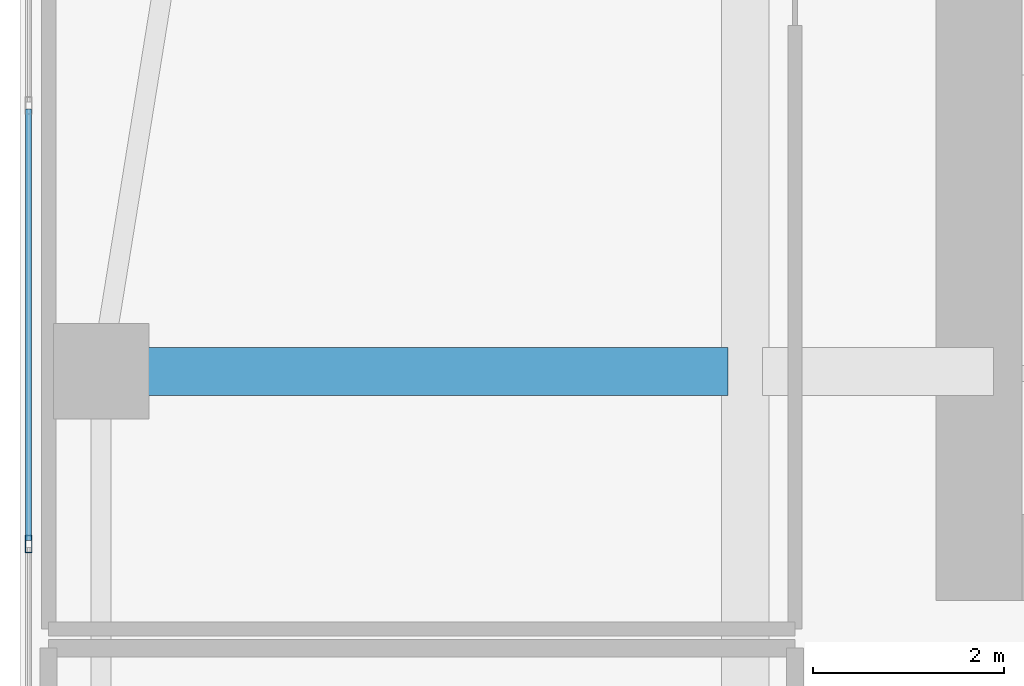
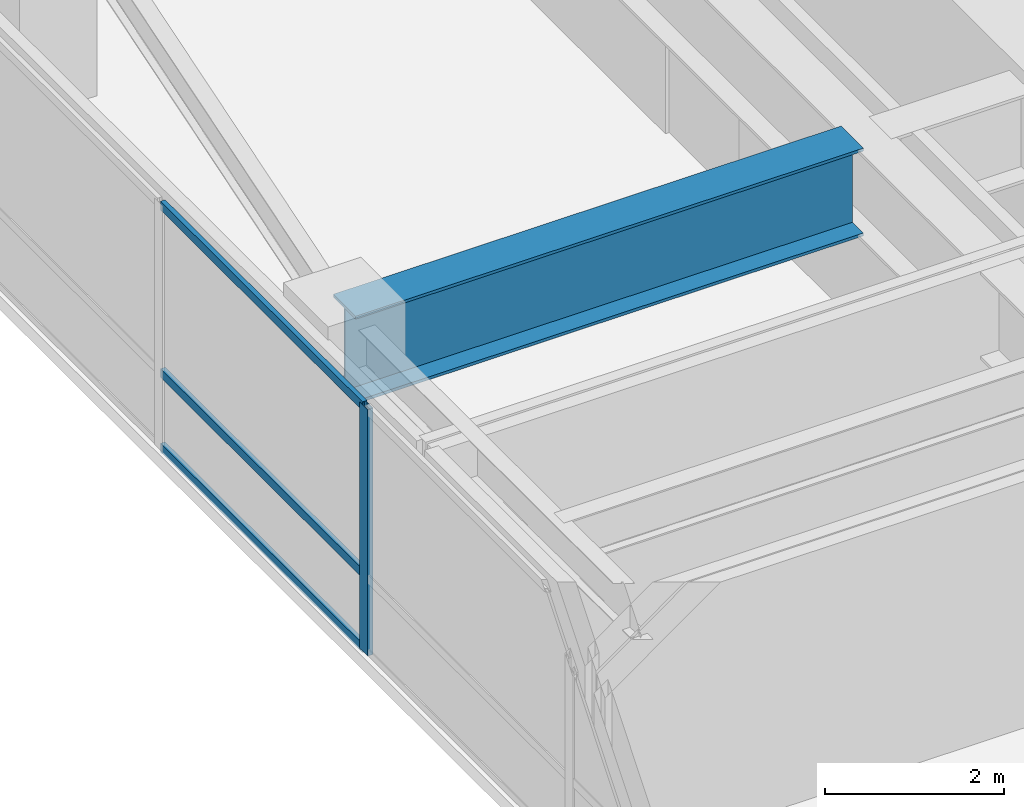
# One storey, part 17 of 30: 4 members, 1 beam, 1 element without a shape of its own.
"""IFC4 building model written with IfcOpenShell, lengths in metres."""

from ifc_helpers import new_model, si_unit, direction, frame, origin, origin_2d, place, context, subcontext, project, spatial, hollow_rectangle, i_section, extrude, source, transform, mapped, material, layer, layer_set, material_profile, profile_set, type_object, type_shapes, element, aggregate, save


model = new_model("IFC4")

# Units and contexts
model_context = context("Model", 3, precision=1e-05, world=origin(), true_north=direction((0.0, 1.0)))
body_context = subcontext(model_context, "Body", "Model", "MODEL_VIEW")
ifc_project = project(units=[si_unit("LENGTHUNIT", "METRE"), si_unit("AREAUNIT", "SQUARE_METRE"), si_unit("VOLUMEUNIT", "CUBIC_METRE"), si_unit("PLANEANGLEUNIT", "RADIAN"), si_unit("MASSUNIT", "GRAM", prefix="KILO")], contexts=[model_context])

# Site, building, storey
site_placement = place(None, origin())
site = spatial("IfcSite", under=ifc_project, at=site_placement, CompositionType="ELEMENT")
building_placement = place(site_placement, origin())
building = spatial("IfcBuilding", under=site, at=building_placement, Name="Tolvann Quenvar Hotel", CompositionType="ELEMENT")
storey_placement = place(building_placement, frame((0.0, 0.0, 56.85009765625)))
storey = spatial("IfcBuildingStorey", under=building, at=storey_placement, Name="L13", CompositionType="ELEMENT", Elevation=56.85009765625)

# Beam
ifc_material_1 = material(Name="Steel Grade 350", Category="steel")
ifc_material_profile_1 = material_profile(ifc_material_1, i_section(OverallWidth=0.5, OverallDepth=1.199951171875, WebThickness=0.01611328125, FlangeThickness=0.0400390625, at=origin_2d()), Name="1200WB455")
ifc_profile_set_1 = profile_set([ifc_material_profile_1], Name="Steel Grade 350")
beam_type = type_object("IfcBeamType", Name="BM_TG_1200WB455", PredefinedType="USERDEFINED", material=ifc_profile_set_1)
shared_shape_1 = source(origin(), body_context, "Body", "SweptSolid", [
    extrude(i_section(OverallWidth=0.5, OverallDepth=1.199951171875, WebThickness=0.01611328125, FlangeThickness=0.0400390625, at=origin_2d()), origin(), (0.0, 0.0, 1.0), 6.56982421875),
])
type_shapes(beam_type, [shared_shape_1])
beam_placement = place(storey_placement, frame((0.85009765625, 34.0, 2.77001953125), z_axis=(1.0, 0.0, 0.0), x_axis=(0.0, 1.0, 0.0)))
element("IfcBeam", 1, at=beam_placement, inside=storey, type_object=beam_type, Name="BM-L13-CTW-MID1", ObjectType="TRANSFER GIRDER", PredefinedType="USERDEFINED", context=body_context, shape_type="MappedRepresentation", body=[
    mapped(shared_shape_1, transform((0.0, 0.0, 0.0), x_axis=(1.0, 0.0, 0.0), y_axis=(0.0, 1.0, 0.0), z_axis=(0.0, 0.0, 1.0), scale=1.0)),
])

# Curtain wall, members
ifc_material_2 = material(Name="Thermally broken anodised architectural aluminium 6063-T6 and laminated low-E glass", Category="aluminium")
ifc_layer = layer(ifc_material_2, 0.179931640625)
ifc_layer_set = layer_set([ifc_layer], Name="Thermally broken anodised architectural aluminium 6063-T6 and laminated low-E glass")
curtain_wall_type = type_object("IfcCurtainWallType", Name="CW_SYS_BAND_04", PredefinedType="USERDEFINED", material=ifc_layer_set)
curtain_wall_placement = place(storey_placement, origin())
curtain_wall = element("IfcCurtainWall", 2, at=curtain_wall_placement, inside=storey, type_object=curtain_wall_type, Name="Curtain Wall CW-BAND-04 (CWR-L13-E23)", ObjectType="UNITISED CURTAIN WALL", PredefinedType="USERDEFINED")
ifc_material_3 = material(Name="Anodised architectural aluminium 6063-T6 framing", Category="aluminium")
ifc_material_profile_2 = material_profile(ifc_material_3, hollow_rectangle(XDim=0.070068359375, YDim=0.179931640625, WallThickness=0.00390625, at=origin_2d()), Name="180x70x4RHS")
ifc_profile_set_2 = profile_set([ifc_material_profile_2], Name="Anodised architectural aluminium 6063-T6 framing")
member_type_1 = type_object("IfcMemberType", Name="CW_MULL_180x70", PredefinedType="MULLION", material=ifc_profile_set_2)
shared_shape_2 = source(origin(), body_context, "Body", "SweptSolid", [
    extrude(hollow_rectangle(XDim=0.070068359375, YDim=0.179931640625, WallThickness=0.00390625, at=origin_2d()), origin(), (0.0, 0.0, 1.0), 3.369873046875),
])
type_shapes(member_type_1, [shared_shape_2])
member_1_placement = place(storey_placement, frame((0.090087890625, 32.19140625, 0.0), z_axis=(0.0, 0.0, 1.0), x_axis=(1.0, 0.0, 0.0)))
member_1 = element("IfcMember", 3, at=member_1_placement, type_object=member_type_1, Name="CW-BAND-04 mullion 3", PredefinedType="MULLION", context=body_context, shape_type="MappedRepresentation", body=[
    mapped(shared_shape_2, transform((0.0, 0.0, 0.0), x_axis=(1.0, 0.0, 0.0), y_axis=(0.0, 1.0, 0.0), z_axis=(0.0, 0.0, 1.0), scale=1.0)),
])
ifc_material_profile_3 = material_profile(ifc_material_3, hollow_rectangle(XDim=0.06005859375, YDim=0.1201171875, WallThickness=0.00341796875, at=origin_2d()), Name="120x60x3.5RHS")
ifc_profile_set_3 = profile_set([ifc_material_profile_3], Name="Anodised architectural aluminium 6063-T6 framing")
member_type_2 = type_object("IfcMemberType", Name="CW_TRAN_120x60", PredefinedType="USERDEFINED", material=ifc_profile_set_3)
shared_shape_3 = source(origin(), body_context, "Body", "SweptSolid", [
    extrude(hollow_rectangle(XDim=0.06005859375, YDim=0.1201171875, WallThickness=0.00341796875, at=origin_2d()), origin(), (0.0, 0.0, 1.0), 4.52587890625),
])
type_shapes(member_type_2, [shared_shape_3])
member_2_placement = place(storey_placement, frame((0.090087890625, 36.752197265625, 0.02978515625), z_axis=(0.0, -1.0, 0.0), x_axis=(1.0, 0.0, 0.0)))
member_2 = element("IfcMember", 4, at=member_2_placement, type_object=member_type_2, Name="CW-BAND-04 transom 2.1", ObjectType="TRANSOM", PredefinedType="USERDEFINED", context=body_context, shape_type="MappedRepresentation", body=[
    mapped(shared_shape_3, transform((0.0, 0.0, 0.0), x_axis=(1.0, 0.0, 0.0), y_axis=(0.0, 1.0, 0.0), z_axis=(0.0, 0.0, 1.0), scale=1.0)),
])
member_3_placement = place(storey_placement, frame((0.090087890625, 36.752197265625, 1.0498046875), z_axis=(0.0, -1.0, 0.0), x_axis=(1.0, 0.0, 0.0)))
member_3 = element("IfcMember", 5, at=member_3_placement, type_object=member_type_2, Name="CW-BAND-04 transom 2.2", ObjectType="TRANSOM", PredefinedType="USERDEFINED", context=body_context, shape_type="MappedRepresentation", body=[
    mapped(shared_shape_3, transform((0.0, 0.0, 0.0), x_axis=(1.0, 0.0, 0.0), y_axis=(0.0, 1.0, 0.0), z_axis=(0.0, 0.0, 1.0), scale=1.0)),
])
member_4_placement = place(storey_placement, frame((0.090087890625, 36.752197265625, 3.33984375), z_axis=(0.0, -1.0, 0.0), x_axis=(1.0, 0.0, 0.0)))
member_4 = element("IfcMember", 6, at=member_4_placement, type_object=member_type_2, Name="CW-BAND-04 transom 2.3", ObjectType="TRANSOM", PredefinedType="USERDEFINED", context=body_context, shape_type="MappedRepresentation", body=[
    mapped(shared_shape_3, transform((0.0, 0.0, 0.0), x_axis=(1.0, 0.0, 0.0), y_axis=(0.0, 1.0, 0.0), z_axis=(0.0, 0.0, 1.0), scale=1.0)),
])
aggregate(curtain_wall, [member_1, member_2, member_3, member_4])

save(model, "model.ifc")
